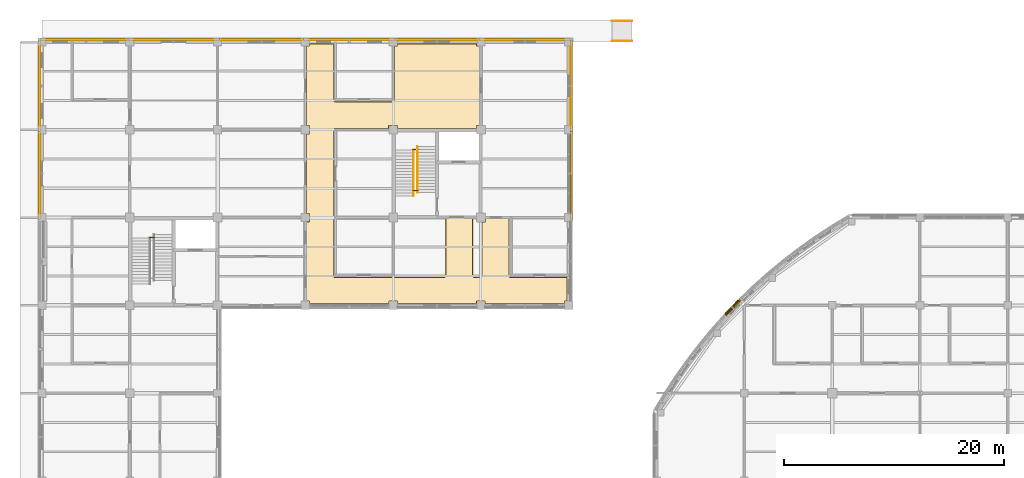
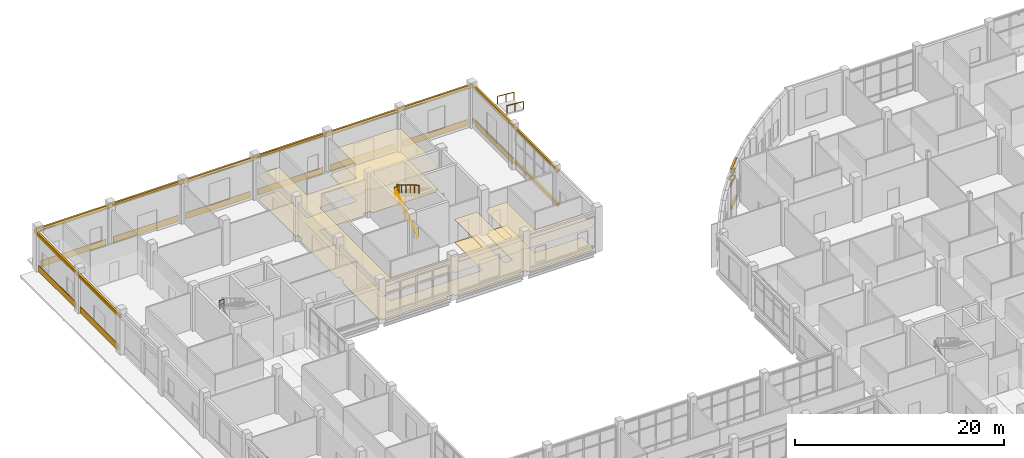
# One storey, part 100 of 105: 25 coverings, 12 shading devices, 7 railings.
"""IFC4 building model written with IfcOpenShell, lengths in metres."""

import ifcopenshell
import ifcopenshell.guid

model = None  # the IFC model being written
_history = None  # IfcOwnerHistory: only IFC2X3 demands one
_inside = {}  # id of a spatial element -> (the spatial element, [elements in it])
_under = {}  # id of a project, library or spatial element -> (it, [spatial elements below it])
_declared = {}  # id of a project -> (the project, [libraries it declares])
_typed = {}  # id of a type object -> (the type object, [elements of that type])
_made_of = {}  # id of a material, layer set ... -> (it, [elements and type objects made of it])


def new_model(schema):
    """Start an empty IFC model of exactly this schema.

    Asked for "IFC4X3", IfcOpenShell would pick the latest addendum, in which some entities
    have other attributes; the version numbers below select the first issue.
    IFC2X3 requires an IfcOwnerHistory on every rooted entity: one is made here for all.
    """
    global model, _history
    if schema == "IFC4X3":
        model = ifcopenshell.file(schema_version=(4, 3, 0, 0))
    else:
        model = ifcopenshell.file(schema=schema)
    _inside.clear()
    _under.clear()
    _declared.clear()
    _typed.clear()
    _made_of.clear()
    _history = None
    if model.schema == "IFC2X3":
        org = make("IfcOrganization", Name="unknown")
        user = make(
            "IfcPersonAndOrganization",
            ThePerson=make("IfcPerson", FamilyName="unknown"),
            TheOrganization=org,
        )
        app = make(
            "IfcApplication",
            ApplicationDeveloper=org,
            Version="unknown",
            ApplicationFullName="unknown",
            ApplicationIdentifier="unknown",
        )
        _history = make(
            "IfcOwnerHistory",
            OwningUser=user,
            OwningApplication=app,
            ChangeAction="ADDED",
            CreationDate=0,
        )
    return model


def make(cls, **values):
    """One entity of the class cls with the attributes given. An attribute that is None is left unset."""
    return model.create_entity(
        cls, **{name: value for name, value in values.items() if value is not None}
    )


def rooted(cls, **values):
    """An entity with a GlobalId (a new one), such as an element, a storey or a relation."""
    return make(cls, GlobalId=ifcopenshell.guid.new(), OwnerHistory=_history, **values)


def si_unit(unit_type, name, prefix=None):
    """IfcSIUnit, for example si_unit("LENGTHUNIT", "METRE", prefix="MILLI")."""
    return make("IfcSIUnit", UnitType=unit_type, Prefix=prefix, Name=name)


def derived_unit(unit_type, elements):
    """IfcDerivedUnit: a product of units, each with its exponent."""
    return make(
        "IfcDerivedUnit",
        Elements=[
            make("IfcDerivedUnitElement", Unit=unit, Exponent=power)
            for unit, power in elements
        ],
        UnitType=unit_type,
    )


def assignment(units):
    """IfcUnitAssignment: the units of a project."""
    return None if units is None else make("IfcUnitAssignment", Units=units)


def point(xyz):
    """IfcCartesianPoint."""
    return None if xyz is None else make("IfcCartesianPoint", Coordinates=xyz)


def direction(xyz):
    """IfcDirection."""
    return None if xyz is None else make("IfcDirection", DirectionRatios=xyz)


def frame(location, z_axis=None, x_axis=None):
    """IfcAxis2Placement3D, a coordinate frame: its origin and axes. An axis left out is left unset."""
    return make(
        "IfcAxis2Placement3D",
        Location=point(location),
        Axis=direction(z_axis),
        RefDirection=direction(x_axis),
    )


def frame_2d(location, x_axis=None):
    """IfcAxis2Placement2D, a coordinate frame in the plane: its origin and x axis."""
    return make(
        "IfcAxis2Placement2D", Location=point(location), RefDirection=direction(x_axis)
    )


def origin():
    """The frame at (0, 0, 0) with its axes left unset."""
    return frame((0.0, 0.0, 0.0))


def origin_2d():
    """The frame at (0, 0) in the plane with its x axis left unset."""
    return frame_2d((0.0, 0.0))


def place(relative_to, where):
    """IfcLocalPlacement: puts the frame where relative to a parent placement (None: the world)."""
    return make(
        "IfcLocalPlacement", PlacementRelTo=relative_to, RelativePlacement=where
    )


def context(
    kind, dimensions, precision=None, world=None, true_north=None, identifier=None
):
    """IfcGeometricRepresentationContext, for example the 3D "Model" context."""
    return make(
        "IfcGeometricRepresentationContext",
        ContextIdentifier=identifier,
        ContextType=kind,
        CoordinateSpaceDimension=dimensions,
        Precision=precision,
        WorldCoordinateSystem=world,
        TrueNorth=true_north,
    )


def subcontext(parent, identifier, kind, view, scale=None):
    """IfcGeometricRepresentationSubContext, for example "Body" below "Model"."""
    return make(
        "IfcGeometricRepresentationSubContext",
        ContextIdentifier=identifier,
        ContextType=kind,
        ParentContext=parent,
        TargetScale=scale,
        TargetView=view,
    )


def project(units=None, contexts=None):
    """IfcProject with its units and contexts."""
    return rooted(
        "IfcProject",
        Name="project",
        RepresentationContexts=contexts,
        UnitsInContext=assignment(units),
    )


def spatial(cls, under=None, at=None, **own):
    """A site, building, storey or space (cls), placed at a placement, below another one or the project."""
    s = rooted(cls, ObjectPlacement=at, **own)
    if under is not None:
        _under.setdefault(under.id(), (under, []))[1].append(s)
    return s


def polyline(points):
    """IfcPolyline through the points."""
    return make("IfcPolyline", Points=[point(p) for p in points])


def profile(cls, at=None, kind="AREA", **sizes):
    """A parametric profile (cls). Its sizes go by their IFC names, for example OverallWidth=200.0."""
    return make(cls, ProfileType=kind, Position=at, **sizes)


def rectangle(**sizes):
    """IfcRectangleProfileDef."""
    return profile("IfcRectangleProfileDef", **sizes)


def circle(**sizes):
    """IfcCircleProfileDef."""
    return profile("IfcCircleProfileDef", **sizes)


def outline(outer, holes=None, kind="AREA"):
    """IfcArbitraryClosedProfileDef: a profile drawn as a closed curve; with holes, ...WithVoids."""
    if holes is None:
        return make("IfcArbitraryClosedProfileDef", ProfileType=kind, OuterCurve=outer)
    return make(
        "IfcArbitraryProfileDefWithVoids",
        ProfileType=kind,
        OuterCurve=outer,
        InnerCurves=holes,
    )


def extrude(swept, where, along, depth):
    """IfcExtrudedAreaSolid: the profile swept, set in the frame where, extruded along a direction by depth."""
    return make(
        "IfcExtrudedAreaSolid",
        SweptArea=swept,
        Position=where,
        ExtrudedDirection=direction(along),
        Depth=depth,
    )


def shape(context_of_items, identifier, shape_type, items):
    """IfcShapeRepresentation: the items that make up one representation, for example the "Body"."""
    return make(
        "IfcShapeRepresentation",
        ContextOfItems=context_of_items,
        RepresentationIdentifier=identifier,
        RepresentationType=shape_type,
        Items=items,
    )


def material(Name=None, Category=None):
    """IfcMaterial."""
    return make("IfcMaterial", Name=Name, Category=Category)


def layer(
    of_material, thickness, ventilated=None, Name=None, Category=None, Priority=None
):
    """IfcMaterialLayer: one layer of a wall or slab, of a material (None: an air gap)."""
    return make(
        "IfcMaterialLayer",
        Material=of_material,
        LayerThickness=thickness,
        IsVentilated=ventilated,
        Name=Name,
        Category=Category,
        Priority=Priority,
    )


def layer_set(layers, Name=None):
    """IfcMaterialLayerSet."""
    return make("IfcMaterialLayerSet", MaterialLayers=layers, LayerSetName=Name)


def material_profile(
    of_material, cross_section, Name=None, Category=None, Priority=None
):
    """IfcMaterialProfile: a cross section and its material."""
    return make(
        "IfcMaterialProfile",
        Name=Name,
        Material=of_material,
        Profile=cross_section,
        Priority=Priority,
        Category=Category,
    )


def profile_set(profiles, Name=None, composite=None):
    """IfcMaterialProfileSet."""
    return make(
        "IfcMaterialProfileSet",
        Name=Name,
        MaterialProfiles=profiles,
        CompositeProfile=composite,
    )


def made_of(thing, what):
    """Note that an element or type object is made of a material, layer set ...; save() writes the relation."""
    if what is not None:
        _made_of.setdefault(what.id(), (what, []))[1].append(thing)
    return thing


def type_object(cls, material=None, **own):
    """A type object (cls), such as IfcWallType, which elements share."""
    return made_of(rooted(cls, **own), material)


def element(
    cls,
    number,
    at=None,
    inside=None,
    cuts=None,
    type_object=None,
    material=None,
    context=None,
    identifier="Body",
    shape_type=None,
    held_by="IfcProductDefinitionShape",
    body=None,
    shapes=None,
    **own,
):
    """One element of the class cls, such as IfcWall. Its Tag is "e" and its number.

    at: its placement. inside: the storey or other place that contains it. cuts: it is an
    opening in that element (IfcRelVoidsElement). A single representation is given by context,
    identifier, shape_type and body (its items); several are given by shapes. held_by: the class
    of the entity that holds the representations. save() writes the other relations.
    """
    e = rooted(cls, Tag="e%d" % number, ObjectPlacement=at, **own)
    if body is not None:
        shapes = [shape(context, identifier, shape_type, body)]
    if shapes is not None:
        e.Representation = make(held_by, Representations=shapes)
    if inside is not None:
        _inside.setdefault(inside.id(), (inside, []))[1].append(e)
    if cuts is not None:
        rooted(
            "IfcRelVoidsElement", RelatingBuildingElement=cuts, RelatedOpeningElement=e
        )
    if type_object is not None:
        _typed.setdefault(type_object.id(), (type_object, []))[1].append(e)
    return made_of(e, material)


def aggregate(whole, parts):
    """IfcRelAggregates: a whole, such as a stair, and the parts it consists of."""
    return rooted("IfcRelAggregates", RelatingObject=whole, RelatedObjects=parts)


def save(model, path):
    """Write the relations noted so far, then the file.

    IfcRelAggregates (storeys below a building ...), IfcRelContainedInSpatialStructure (elements
    in a storey), IfcRelDefinesByType, IfcRelAssociatesMaterial and IfcRelDeclares: one each for
    every whole, place, type object, material and project.
    """
    for whole, parts in _under.values():
        aggregate(whole, parts)
    for where, things in _inside.values():
        rooted(
            "IfcRelContainedInSpatialStructure",
            RelatedElements=things,
            RelatingStructure=where,
        )
    for kind, things in _typed.values():
        rooted("IfcRelDefinesByType", RelatedObjects=things, RelatingType=kind)
    for what, things in _made_of.values():
        rooted("IfcRelAssociatesMaterial", RelatedObjects=things, RelatingMaterial=what)
    for by, libraries in _declared.values():
        rooted("IfcRelDeclares", RelatingContext=by, RelatedDefinitions=libraries)
    model.write(path)


model = new_model("IFC4")

# Units and contexts
model_context = context("Model", 3, precision=1e-05, world=origin(), true_north=direction((0.0, 1.0)))
body_context = subcontext(model_context, "Body", "Model", "MODEL_VIEW")
ifc_project = project(units=[si_unit("LENGTHUNIT", "METRE"), si_unit("AREAUNIT", "SQUARE_METRE"), si_unit("VOLUMEUNIT", "CUBIC_METRE"), si_unit("PLANEANGLEUNIT", "RADIAN"), si_unit("MASSUNIT", "GRAM", prefix="KILO"), derived_unit("THERMALTRANSMITTANCEUNIT", [(si_unit("MASSUNIT", "GRAM", prefix="KILO"), 1), (si_unit("TIMEUNIT", "SECOND"), -3), (si_unit("THERMODYNAMICTEMPERATUREUNIT", "KELVIN"), -1)])], contexts=[model_context])

# Site, building, storey
site_placement = place(None, origin())
site = spatial("IfcSite", under=ifc_project, at=site_placement, CompositionType="ELEMENT")
building_placement = place(site_placement, origin())
building = spatial("IfcBuilding", under=site, at=building_placement, Name="Veyamyaing Civic Hall", CompositionType="ELEMENT")
storey_placement = place(building_placement, origin())
storey = spatial("IfcBuildingStorey", under=building, at=storey_placement, Name="L00", CompositionType="ELEMENT", Elevation=0.0)

# Coverings
ifc_material_1 = material(Name="Buff sandstone ashlar cladding", Category="masonry")
ifc_layer_1 = layer(ifc_material_1, 0.050048828125, Name="Buff sandstone ashlar cladding")
ifc_layer_set_1 = layer_set([ifc_layer_1], Name="Buff sandstone ashlar cladding")
covering_type_1 = type_object("IfcCoveringType", Name="CL-01", PredefinedType="CLADDING", material=ifc_layer_set_1)
for number, where, z_axis, x_axis, name in (
    (1, (-0.160888671875, 100.0, 0.044921875), (0.0, 0.0, 1.0), (0.0, 1.0, 0.0), "Facade spandrel cladding CL-01 L00 W 1.13"),
    (2, (4.0, 112.160888671875, 0.044921875), (0.0, 0.0, 1.0), (1.0, 0.0, 0.0), "Facade spandrel cladding CL-01 L00 N 1.14"),
    (3, (-0.160888671875, 108.0, 0.044921875), (0.0, 0.0, 1.0), (0.0, 1.0, 0.0), "Facade spandrel cladding CL-01 L00 W 1.14"),
    (4, (12.0, 112.160888671875, 0.044921875), (0.0, 0.0, 1.0), (1.0, 0.0, 0.0), "Facade spandrel cladding CL-01 L00 N 2.14"),
    (5, (20.0, 112.160888671875, 0.044921875), (0.0, 0.0, 1.0), (1.0, 0.0, 0.0), "Facade spandrel cladding CL-01 L00 N 3.14"),
    (6, (28.0, 112.160888671875, 0.044921875), (0.0, 0.0, 1.0), (1.0, 0.0, 0.0), "Facade spandrel cladding CL-01 L00 N 4.14"),
    (7, (36.0, 112.160888671875, 0.044921875), (0.0, 0.0, 1.0), (1.0, 0.0, 0.0), "Facade spandrel cladding CL-01 L00 N 5.14"),
    (8, (44.0, 112.160888671875, 0.044921875), (0.0, 0.0, 1.0), (1.0, 0.0, 0.0), "Facade spandrel cladding CL-01 L00 N 6.14"),
    (9, (48.160888671875, 108.0, 0.044921875), (0.0, 0.0, 1.0), (0.0, 1.0, 0.0), "Facade spandrel cladding CL-01 L00 E 6.14"),
):
    element("IfcCovering", number, at=place(storey_placement, frame(where, z_axis=z_axis, x_axis=x_axis)), inside=storey, type_object=covering_type_1, Name=name, PredefinedType="CLADDING", context=body_context, shape_type="SweptSolid", body=[
        extrude(rectangle(XDim=7.199951171875, YDim=0.050048828125, at=origin_2d()), origin(), (0.0, 0.0, 1.0), 0.75),
    ])
ifc_material_2 = material(Name="White powder-coated aluminium 6063-T6", Category="aluminium")
ifc_layer_2 = layer(ifc_material_2, 0.2099609375, Name="White powder-coated aluminium 6063-T6")
ifc_layer_set_2 = layer_set([ifc_layer_2], Name="White powder-coated aluminium 6063-T6")
covering_type_2 = type_object("IfcCoveringType", Name="CL-03", PredefinedType="CLADDING", material=ifc_layer_set_2)
for number, where, z_axis, x_axis, name in (
    (10, (62.94775390625, 87.781005859375, 0.27001953125), (0.0, 0.0, 1.0), (-0.693760978012, -0.720205321688, 0.0), "Continuous white corner ribbon CL-03 L00 NW.8.1"),
    (11, (62.94775390625, 87.781005859375, 4.64501953125), (0.0, 0.0, 1.0), (-0.693760978012, -0.720205321688, 0.0), "Continuous white corner ribbon CL-03 L00 NW.8.2"),
):
    element("IfcCovering", number, at=place(storey_placement, frame(where, z_axis=z_axis, x_axis=x_axis)), inside=storey, type_object=covering_type_2, Name=name, PredefinedType="CLADDING", context=body_context, shape_type="SweptSolid", body=[
        extrude(rectangle(XDim=1.93505859375, YDim=0.2099609375, at=origin_2d()), origin(), (0.0, 0.0, 1.0), 0.419921875),
    ])
for number, where, z_axis, x_axis, name in (
    (12, (-0.239990234375, 100.0, 4.22998046875), (0.0, 0.0, 1.0), (0.0, 1.0, 0.0), "Continuous white head fascia ribbon CL-03 L00 W 1.13"),
    (13, (4.0, 112.239990234375, 4.234130859375), (0.0, 0.0, 1.0), (1.0, 0.0, 0.0), "Continuous white head fascia ribbon CL-03 L00 N 1.14"),
    (14, (-0.239990234375, 108.0, 4.2939453125), (0.0, 0.0, 1.0), (0.0, 1.0, 0.0), "Continuous white head fascia ribbon CL-03 L00 W 1.14"),
    (15, (12.0, 112.239990234375, 4.297119140625), (0.0, 0.0, 1.0), (1.0, 0.0, 0.0), "Continuous white head fascia ribbon CL-03 L00 N 2.14"),
    (16, (20.0, 112.239990234375, 4.22998046875), (0.0, 0.0, 1.0), (1.0, 0.0, 0.0), "Continuous white head fascia ribbon CL-03 L00 N 3.14"),
    (17, (28.0, 112.239990234375, 4.2939453125), (0.0, 0.0, 1.0), (1.0, 0.0, 0.0), "Continuous white head fascia ribbon CL-03 L00 N 4.14"),
    (18, (36.0, 112.239990234375, 4.234130859375), (0.0, 0.0, 1.0), (1.0, 0.0, 0.0), "Continuous white head fascia ribbon CL-03 L00 N 5.14"),
    (19, (48.239990234375, 100.0, 4.234130859375), (0.0, 0.0, 1.0), (0.0, 1.0, 0.0), "Continuous white head fascia ribbon CL-03 L00 E 6.13"),
    (20, (48.239990234375, 100.0, 0.280029296875), (0.0, 0.0, 1.0), (0.0, 1.0, 0.0), "Continuous white sill fascia ribbon CL-03 L00 E 6.13"),
    (21, (44.0, 112.239990234375, 4.297119140625), (0.0, 0.0, 1.0), (1.0, 0.0, 0.0), "Continuous white head fascia ribbon CL-03 L00 N 6.14"),
    (22, (48.239990234375, 108.0, 4.297119140625), (0.0, 0.0, 1.0), (0.0, 1.0, 0.0), "Continuous white head fascia ribbon CL-03 L00 E 6.14"),
    (23, (48.239990234375, 108.0, 0.280029296875), (0.0, 0.0, 1.0), (0.0, 1.0, 0.0), "Continuous white sill fascia ribbon CL-03 L00 E 6.14"),
):
    element("IfcCovering", number, at=place(storey_placement, frame(where, z_axis=z_axis, x_axis=x_axis)), inside=storey, type_object=covering_type_2, Name=name, PredefinedType="CLADDING", context=body_context, shape_type="SweptSolid", body=[
        extrude(rectangle(XDim=8.360107421875, YDim=0.2099609375, at=origin_2d()), origin(), (0.0, 0.0, 1.0), 0.39990234375),
    ])
ifc_material_3 = material(Name="Perforated acoustic gypsum ceiling board")
ifc_layer_3 = layer(ifc_material_3, 0.02490234375, Name="Perforated acoustic gypsum ceiling board")
ifc_layer_set_3 = layer_set([ifc_layer_3], Name="Perforated acoustic gypsum ceiling board")
covering_type_3 = type_object("IfcCoveringType", Name="CLG-01", PredefinedType="CEILING", material=ifc_layer_set_3)
covering_1_placement = place(storey_placement, frame((0.0, 0.0, 2.699951171875)))
element("IfcCovering", 24, at=covering_1_placement, inside=storey, type_object=covering_type_3, Name="Acoustic suspended ceiling CLG-01 L00-C03", PredefinedType="CEILING", context=body_context, shape_type="SweptSolid", body=[
    extrude(outline(polyline([(26.58837890625, 106.60791015625), (26.6025390625, 106.59228515625), (26.620849609375, 106.581298828125), (26.652587890625, 106.574951171875), (31.99755859375, 106.574951171875), (32.029296875, 106.581298828125), (32.0478515625, 106.592529296875), (32.0576171875, 106.60205078125), (32.068603515625, 106.620849609375), (32.074951171875, 106.652587890625), (32.074951171875, 111.639892578125), (32.360107421875, 111.639892578125), (32.360107421875, 111.844970703125), (39.639892578125, 111.844970703125), (39.639892578125, 111.639892578125), (39.925048828125, 111.639892578125), (39.925048828125, 104.385009765625), (39.614990234375, 104.385009765625), (39.614990234375, 104.074951171875), (32.385009765625, 104.074951171875), (32.385009765625, 104.385009765625), (31.614990234375, 104.385009765625), (31.614990234375, 104.074951171875), (26.65185546875, 104.074951171875), (26.627685546875, 104.0712890625), (26.615234375, 104.06640625), (26.5966796875, 104.052490234375), (26.588134765625, 104.0419921875), (26.57861328125, 104.021728515625), (26.574951171875, 103.998291015625), (26.574951171875, 90.65185546875), (26.578369140625, 90.62890625), (26.5927734375, 90.602294921875), (26.6083984375, 90.587890625), (26.62841796875, 90.57861328125), (26.65185546875, 90.574951171875), (36.697509765625, 90.574951171875), (36.729248046875, 90.581298828125), (36.747314453125, 90.59228515625), (36.76220703125, 90.6083984375), (36.771484375, 90.62841796875), (36.77490234375, 90.65185546875), (36.77490234375, 95.925048828125), (39.27490234375, 95.925048828125), (39.275390625, 90.643310546875), (39.28076171875, 90.6220703125), (39.29736328125, 90.597412109375), (39.322021484375, 90.580810546875), (39.34326171875, 90.575439453125), (39.998291015625, 90.574951171875), (40.021728515625, 90.57861328125), (40.04150390625, 90.587890625), (40.057373046875, 90.602294921875), (40.071533203125, 90.62890625), (40.074951171875, 90.65185546875), (40.074951171875, 95.614990234375), (40.385009765625, 95.614990234375), (40.385009765625, 95.925048828125), (42.574951171875, 95.925048828125), (42.574951171875, 90.65185546875), (42.57861328125, 90.62841796875), (42.588134765625, 90.60791015625), (42.5966796875, 90.597412109375), (42.615234375, 90.583740234375), (42.627685546875, 90.57861328125), (42.65185546875, 90.574951171875), (47.844970703125, 90.574951171875), (47.844970703125, 88.360107421875), (47.639892578125, 88.360107421875), (47.639892578125, 88.155029296875), (40.360107421875, 88.155029296875), (40.360107421875, 88.360107421875), (39.639892578125, 88.360107421875), (39.639892578125, 88.155029296875), (32.360107421875, 88.155029296875), (32.360107421875, 88.360107421875), (31.639892578125, 88.360107421875), (31.639892578125, 88.155029296875), (24.360107421875, 88.155029296875), (24.360107421875, 88.360107421875), (24.074951171875, 88.360107421875), (24.074951171875, 95.639892578125), (24.360107421875, 95.639892578125), (24.360107421875, 96.360107421875), (24.074951171875, 96.360107421875), (24.074951171875, 103.639892578125), (24.360107421875, 103.639892578125), (24.360107421875, 104.360107421875), (24.074951171875, 104.360107421875), (24.074951171875, 111.639892578125), (24.360107421875, 111.639892578125), (24.360107421875, 111.844970703125), (26.574951171875, 111.844970703125), (26.576904296875, 106.635498046875), (26.58837890625, 106.60791015625)])), origin(), (0.0, 0.0, 1.0), 0.025146484375),
])
ifc_material_4 = material(Name="Polished Mandalay marble and terrazzo flooring", Category="masonry")
ifc_layer_4 = layer(ifc_material_4, 0.030029296875, Name="Polished Mandalay marble and terrazzo flooring")
ifc_layer_set_4 = layer_set([ifc_layer_4], Name="Polished Mandalay marble and terrazzo flooring")
covering_type_4 = type_object("IfcCoveringType", Name="FLR-01", PredefinedType="FLOORING", material=ifc_layer_set_4)
covering_2_placement = place(storey_placement, origin())
element("IfcCovering", 25, at=covering_2_placement, inside=storey, type_object=covering_type_4, Name="Stone and terrazzo flooring FLR-01 L00-C03", PredefinedType="FLOORING", context=body_context, shape_type="SweptSolid", body=[
    extrude(outline(polyline([(26.56689453125, 106.594482421875), (26.586669921875, 106.57275390625), (26.61181640625, 106.5576171875), (26.64990234375, 106.550048828125), (32.0, 106.550048828125), (32.038330078125, 106.5576171875), (32.0634765625, 106.57275390625), (32.077392578125, 106.586669921875), (32.09228515625, 106.61181640625), (32.10009765625, 106.64990234375), (32.10009765625, 111.614990234375), (32.385009765625, 111.614990234375), (32.385009765625, 111.820068359375), (39.614990234375, 111.820068359375), (39.614990234375, 111.614990234375), (39.89990234375, 111.614990234375), (39.89990234375, 104.409912109375), (39.590087890625, 104.409912109375), (39.590087890625, 104.10009765625), (32.409912109375, 104.10009765625), (32.409912109375, 104.409912109375), (31.590087890625, 104.409912109375), (31.590087890625, 104.10009765625), (26.64990234375, 104.10009765625), (26.62109375, 104.095703125), (26.602783203125, 104.088134765625), (26.579345703125, 104.07080078125), (26.56689453125, 104.0556640625), (26.55419921875, 104.029052734375), (26.550048828125, 104.0), (26.550048828125, 90.64990234375), (26.55419921875, 90.62109375), (26.57275390625, 90.586669921875), (26.594482421875, 90.56689453125), (26.62109375, 90.55419921875), (26.64990234375, 90.550048828125), (36.699951171875, 90.550048828125), (36.73828125, 90.5576171875), (36.763427734375, 90.57275390625), (36.783203125, 90.594482421875), (36.795654296875, 90.62109375), (36.800048828125, 90.64990234375), (36.800048828125, 95.89990234375), (39.25, 95.89990234375), (39.25048828125, 90.64013671875), (39.257568359375, 90.61181640625), (39.279296875, 90.579345703125), (39.311767578125, 90.5576171875), (39.340087890625, 90.550537109375), (40.0, 90.550048828125), (40.029052734375, 90.55419921875), (40.0556640625, 90.56689453125), (40.077392578125, 90.586669921875), (40.095703125, 90.62109375), (40.10009765625, 90.64990234375), (40.10009765625, 95.590087890625), (40.409912109375, 95.590087890625), (40.409912109375, 95.89990234375), (42.550048828125, 95.89990234375), (42.550048828125, 90.64990234375), (42.55419921875, 90.62109375), (42.56689453125, 90.594482421875), (42.579345703125, 90.579345703125), (42.602783203125, 90.561767578125), (42.62109375, 90.55419921875), (42.64990234375, 90.550048828125), (47.820068359375, 90.550048828125), (47.820068359375, 88.385009765625), (47.614990234375, 88.385009765625), (47.614990234375, 88.179931640625), (40.385009765625, 88.179931640625), (40.385009765625, 88.385009765625), (39.614990234375, 88.385009765625), (39.614990234375, 88.179931640625), (32.385009765625, 88.179931640625), (32.385009765625, 88.385009765625), (31.614990234375, 88.385009765625), (31.614990234375, 88.179931640625), (24.385009765625, 88.179931640625), (24.385009765625, 88.385009765625), (24.10009765625, 88.385009765625), (24.10009765625, 95.614990234375), (24.385009765625, 95.614990234375), (24.385009765625, 96.385009765625), (24.10009765625, 96.385009765625), (24.10009765625, 103.614990234375), (24.385009765625, 103.614990234375), (24.385009765625, 104.385009765625), (24.10009765625, 104.385009765625), (24.10009765625, 111.614990234375), (24.385009765625, 111.614990234375), (24.385009765625, 111.820068359375), (26.550048828125, 111.820068359375), (26.552001953125, 106.630615234375), (26.56689453125, 106.594482421875)])), origin(), (0.0, 0.0, 1.0), 0.030029296875),
])

# Railings
ifc_material_5 = material(Name="Steel S355J2", Category="steel")
railing_type_1 = type_object("IfcRailingType", Name="RL-01", PredefinedType="BALUSTRADE", material=ifc_material_5)
for number, where, name in (
    (26, (9.780029296875, 94.18994140625, 2.639892578125), "Half-landing slot guard RL-01 ST-01 L00"),
    (27, (33.780029296875, 102.18994140625, 2.639892578125), "Half-landing slot guard RL-01 ST-02 L00"),
):
    element("IfcRailing", number, at=place(storey_placement, frame(where)), inside=storey, type_object=railing_type_1, Name=name, PredefinedType="BALUSTRADE", context=body_context, shape_type="SweptSolid", body=[
        extrude(circle(Radius=0.02392578125, at=origin_2d()), frame((0.0, 0.0, 1.076171875), z_axis=(1.0, 0.0, 0.0), x_axis=(0.0, 1.0, 0.0)), (0.0, 0.0, 1.0), 0.489990234375),
        extrude(circle(Radius=0.01416015625, at=origin_2d()), frame((0.0, 0.0, 0.572021484375), z_axis=(1.0, 0.0, 0.0), x_axis=(0.0, 1.0, 0.0)), (0.0, 0.0, 1.0), 0.489990234375),
        extrude(circle(Radius=0.02099609375, at=origin_2d()), origin(), (0.0, 0.0, 1.0), 1.052001953125),
        extrude(circle(Radius=0.02099609375, at=origin_2d()), frame((0.489990234375, 0.0, 0.0)), (0.0, 0.0, 1.0), 1.052001953125),
    ])
railing_1_placement = place(storey_placement, frame((33.800048828125, 98.47998046875, 0.0)))
element("IfcRailing", 28, at=railing_1_placement, inside=storey, type_object=railing_type_1, Name="Floor-landing slot guard RL-01 ST-02 L00", PredefinedType="BALUSTRADE", context=body_context, shape_type="SweptSolid", body=[
    extrude(circle(Radius=0.02392578125, at=origin_2d()), frame((0.0, 0.0, 1.076171875), z_axis=(1.0, 0.0, 0.0), x_axis=(0.0, 1.0, 0.0)), (0.0, 0.0, 1.0), 0.469970703125),
    extrude(circle(Radius=0.01416015625, at=origin_2d()), frame((0.0, 0.0, 0.572021484375), z_axis=(1.0, 0.0, 0.0), x_axis=(0.0, 1.0, 0.0)), (0.0, 0.0, 1.0), 0.469970703125),
    extrude(circle(Radius=0.02099609375, at=origin_2d()), origin(), (0.0, 0.0, 1.0), 1.052001953125),
    extrude(circle(Radius=0.02099609375, at=origin_2d()), frame((0.469970703125, 0.0, 0.0)), (0.0, 0.0, 1.0), 1.052001953125),
])
railing_type_2 = type_object("IfcRailingType", Name="RL-02", PredefinedType="HANDRAIL", material=ifc_material_5)
railing_2_placement = place(storey_placement, frame((33.840087890625, 97.949951171875, 0.1650390625)))
element("IfcRailing", 29, at=railing_2_placement, inside=storey, type_object=railing_type_2, Name="Stair pitch handrail RL-02 ST-02 L00.1", PredefinedType="HANDRAIL", context=body_context, shape_type="SweptSolid", body=[
    extrude(circle(Radius=0.02392578125, at=origin_2d()), frame((0.0, 0.0, 0.89599609375), z_axis=(0.0, 0.861549022881, 0.507674384988), x_axis=(-1.0, 0.0, 0.0)), (0.0, 0.0, 1.0), 4.875),
    extrude(circle(Radius=0.02099609375, at=origin_2d()), origin(), (0.0, 0.0, 1.0), 0.871826171875),
    extrude(circle(Radius=0.02099609375, at=origin_2d()), frame((0.0, 0.840087890625, 0.494873046875)), (0.0, 0.0, 1.0), 0.871826171875),
    extrude(circle(Radius=0.02099609375, at=origin_2d()), frame((0.0, 1.679931640625, 0.989990234375)), (0.0, 0.0, 1.0), 0.871826171875),
    extrude(circle(Radius=0.02099609375, at=origin_2d()), frame((0.0, 2.52001953125, 1.48486328125)), (0.0, 0.0, 1.0), 0.871826171875),
    extrude(circle(Radius=0.02099609375, at=origin_2d()), frame((0.0, 3.35986328125, 1.97998046875)), (0.0, 0.0, 1.0), 0.871826171875),
    extrude(circle(Radius=0.02099609375, at=origin_2d()), frame((0.0, 4.199951171875, 2.474853515625)), (0.0, 0.0, 1.0), 0.871826171875),
])
railing_3_placement = place(storey_placement, frame((34.219970703125, 102.469970703125, 2.804931640625)))
element("IfcRailing", 30, at=railing_3_placement, inside=storey, type_object=railing_type_2, Name="Stair pitch handrail RL-02 ST-02 L00.2", PredefinedType="HANDRAIL", context=body_context, shape_type="SweptSolid", body=[
    extrude(circle(Radius=0.02392578125, at=origin_2d()), frame((0.0, 0.0, 0.89599609375), z_axis=(0.0, -0.861527117747, 0.50771155727), x_axis=(1.0, 0.0, 0.0)), (0.0, 0.0, 1.0), 4.875),
    extrude(circle(Radius=0.02099609375, at=origin_2d()), origin(), (0.0, 0.0, 1.0), 0.871826171875),
    extrude(circle(Radius=0.02099609375, at=origin_2d()), frame((0.0, -0.840087890625, 0.4951171875)), (0.0, 0.0, 1.0), 0.871826171875),
    extrude(circle(Radius=0.02099609375, at=origin_2d()), frame((0.0, -1.679931640625, 0.989990234375)), (0.0, 0.0, 1.0), 0.871826171875),
    extrude(circle(Radius=0.02099609375, at=origin_2d()), frame((0.0, -2.52001953125, 1.485107421875)), (0.0, 0.0, 1.0), 0.871826171875),
    extrude(circle(Radius=0.02099609375, at=origin_2d()), frame((0.0, -3.35986328125, 1.97998046875)), (0.0, 0.0, 1.0), 0.871826171875),
    extrude(circle(Radius=0.02099609375, at=origin_2d()), frame((0.0, -4.199951171875, 2.47509765625)), (0.0, 0.0, 1.0), 0.871826171875),
])
for number, where, name in (
    (31, (53.75, 112.10009765625, -0.14990234375), "Accessible ramp handrail RMP-NW.1"),
    (32, (53.75, 113.89990234375, -0.14990234375), "Accessible ramp handrail RMP-NW.2"),
):
    element("IfcRailing", number, at=place(storey_placement, frame(where)), inside=storey, type_object=railing_type_2, Name=name, PredefinedType="HANDRAIL", context=body_context, shape_type="SweptSolid", body=[
        extrude(circle(Radius=0.02392578125, at=origin_2d()), frame((0.0, 0.0, 0.89599609375), z_axis=(-0.996550417439, 0.0, 0.082989550564), x_axis=(0.0, -1.0, 0.0)), (0.0, 0.0, 1.0), 1.806396484375),
        extrude(circle(Radius=0.02099609375, at=origin_2d()), origin(), (0.0, 0.0, 1.0), 0.871826171875),
        extrude(circle(Radius=0.02099609375, at=origin_2d()), frame((-0.89990234375, 0.0, 0.074951171875)), (0.0, 0.0, 1.0), 0.871826171875),
        extrude(circle(Radius=0.02099609375, at=origin_2d()), frame((-1.800048828125, 0.0, 0.14990234375)), (0.0, 0.0, 1.0), 0.871826171875),
    ])

# Shading devices
ifc_material_profile_1 = material_profile(ifc_material_2, circle(Radius=0.110107421875, at=origin_2d()), Name="SHADE-TUBE-220")
ifc_profile_set_1 = profile_set([ifc_material_profile_1], Name="White powder-coated aluminium 6063-T6")
shading_device_type_1 = type_object("IfcShadingDeviceType", Name="SH-01", PredefinedType="USERDEFINED", material=ifc_profile_set_1)
for number, where, z_axis, x_axis, name in (
    (33, (63.512939453125, 88.48291015625, 2.949951171875), (-0.693790654785, -0.720176733402, 0.0), (0.720176733402, -0.693790654785, 0.0), "White corner sunshade ribbon SH-01 L00 NW.8.1"),
    (34, (63.512939453125, 88.48291015625, 3.85009765625), (-0.693790654785, -0.720176733402, 0.0), (0.720176733402, -0.693790654785, 0.0), "White corner sunshade ribbon SH-01 L00 NW.8.2"),
):
    element("IfcShadingDevice", number, at=place(storey_placement, frame(where, z_axis=z_axis, x_axis=x_axis)), inside=storey, type_object=shading_device_type_1, Name=name, ObjectType="SUNSHADE", PredefinedType="USERDEFINED", context=body_context, shape_type="SweptSolid", body=[
        extrude(circle(Radius=0.110107421875, at=origin_2d()), origin(), (0.0, 0.0, 1.0), 1.794921875),
    ])
ifc_material_profile_2 = material_profile(ifc_material_2, circle(Radius=0.090087890625, at=origin_2d()), Name="SHADE-TUBE-180")
ifc_profile_set_2 = profile_set([ifc_material_profile_2], Name="White powder-coated aluminium 6063-T6")
shading_device_type_2 = type_object("IfcShadingDeviceType", Name="SH-02", PredefinedType="USERDEFINED", material=ifc_profile_set_2)
for number, where, z_axis, x_axis, name in (
    (35, (-0.239990234375, 96.360107421875, 4.389892578125), (0.0, 1.0, 0.0), (-1.0, 0.0, 0.0), "Horizontal white sunshade ribbon SH-02 L00 W 1.13"),
    (36, (0.360107421875, 112.239990234375, 4.39404296875), (1.0, 0.0, 0.0), (0.0, 1.0, 0.0), "Horizontal white sunshade ribbon SH-02 L00 N 1.14"),
    (37, (-0.239990234375, 104.360107421875, 4.4541015625), (0.0, 1.0, 0.0), (-1.0, 0.0, 0.0), "Horizontal white sunshade ribbon SH-02 L00 W 1.14"),
    (38, (8.360107421875, 112.239990234375, 4.45703125), (1.0, 0.0, 0.0), (0.0, 1.0, 0.0), "Horizontal white sunshade ribbon SH-02 L00 N 2.14"),
    (39, (16.360107421875, 112.239990234375, 4.389892578125), (1.0, 0.0, 0.0), (0.0, 1.0, 0.0), "Horizontal white sunshade ribbon SH-02 L00 N 3.14"),
    (40, (24.360107421875, 112.239990234375, 4.4541015625), (1.0, 0.0, 0.0), (0.0, 1.0, 0.0), "Horizontal white sunshade ribbon SH-02 L00 N 4.14"),
    (41, (32.360107421875, 112.239990234375, 4.39404296875), (1.0, 0.0, 0.0), (0.0, 1.0, 0.0), "Horizontal white sunshade ribbon SH-02 L00 N 5.14"),
    (42, (48.239990234375, 96.360107421875, 4.39404296875), (0.0, 1.0, 0.0), (-1.0, 0.0, 0.0), "Horizontal white sunshade ribbon SH-02 L00 E 6.13"),
    (43, (40.360107421875, 112.239990234375, 4.45703125), (1.0, 0.0, 0.0), (0.0, 1.0, 0.0), "Horizontal white sunshade ribbon SH-02 L00 N 6.14"),
    (44, (48.239990234375, 104.360107421875, 4.45703125), (0.0, 1.0, 0.0), (-1.0, 0.0, 0.0), "Horizontal white sunshade ribbon SH-02 L00 E 6.14"),
):
    element("IfcShadingDevice", number, at=place(storey_placement, frame(where, z_axis=z_axis, x_axis=x_axis)), inside=storey, type_object=shading_device_type_2, Name=name, ObjectType="SUNSHADE", PredefinedType="USERDEFINED", context=body_context, shape_type="SweptSolid", body=[
        extrude(circle(Radius=0.090087890625, at=origin_2d()), origin(), (0.0, 0.0, 1.0), 7.27978515625),
    ])

save(model, "model.ifc")
